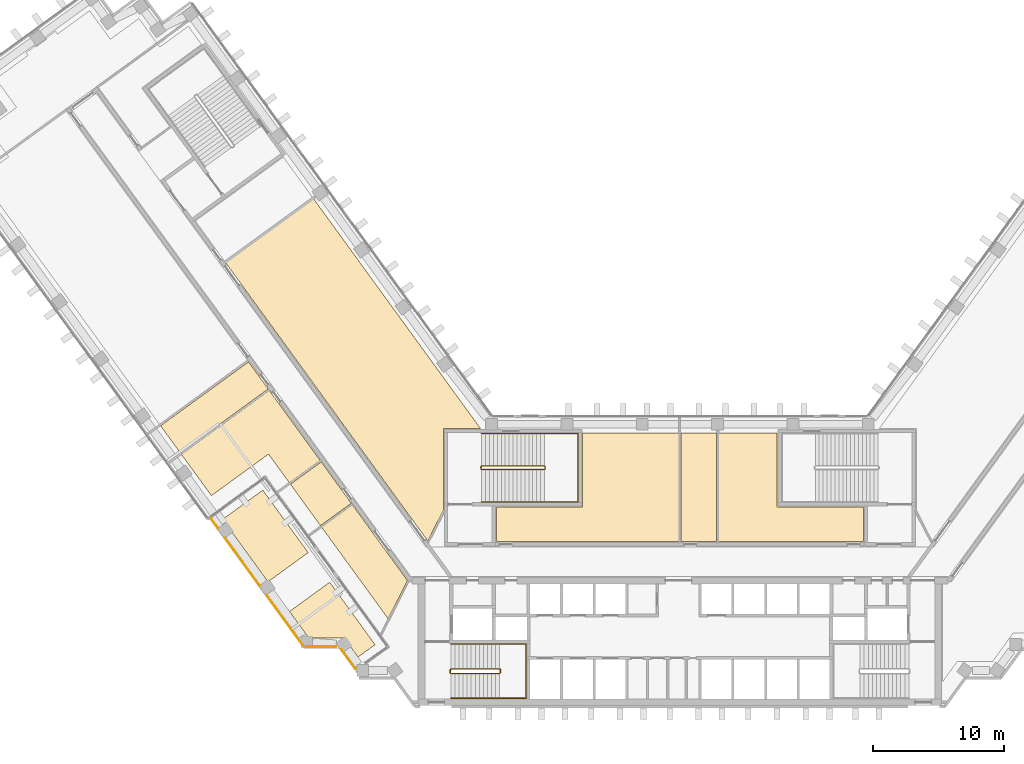
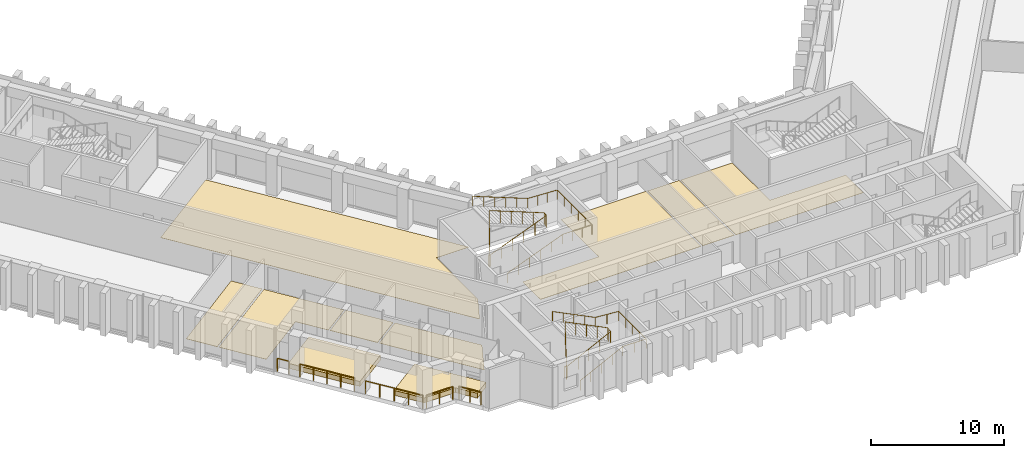
# One storey, part 14 of 16: 10 coverings, 9 railings.
"""IFC4 building model written with IfcOpenShell, lengths in metres."""

import ifcopenshell
import ifcopenshell.guid

model = None  # the IFC model being written
_history = None  # IfcOwnerHistory: only IFC2X3 demands one
_inside = {}  # id of a spatial element -> (the spatial element, [elements in it])
_under = {}  # id of a project, library or spatial element -> (it, [spatial elements below it])
_declared = {}  # id of a project -> (the project, [libraries it declares])
_typed = {}  # id of a type object -> (the type object, [elements of that type])
_made_of = {}  # id of a material, layer set ... -> (it, [elements and type objects made of it])


def new_model(schema):
    """Start an empty IFC model of exactly this schema.

    Asked for "IFC4X3", IfcOpenShell would pick the latest addendum, in which some entities
    have other attributes; the version numbers below select the first issue.
    IFC2X3 requires an IfcOwnerHistory on every rooted entity: one is made here for all.
    """
    global model, _history
    if schema == "IFC4X3":
        model = ifcopenshell.file(schema_version=(4, 3, 0, 0))
    else:
        model = ifcopenshell.file(schema=schema)
    _inside.clear()
    _under.clear()
    _declared.clear()
    _typed.clear()
    _made_of.clear()
    _history = None
    if model.schema == "IFC2X3":
        org = make("IfcOrganization", Name="unknown")
        user = make(
            "IfcPersonAndOrganization",
            ThePerson=make("IfcPerson", FamilyName="unknown"),
            TheOrganization=org,
        )
        app = make(
            "IfcApplication",
            ApplicationDeveloper=org,
            Version="unknown",
            ApplicationFullName="unknown",
            ApplicationIdentifier="unknown",
        )
        _history = make(
            "IfcOwnerHistory",
            OwningUser=user,
            OwningApplication=app,
            ChangeAction="ADDED",
            CreationDate=0,
        )
    return model


def make(cls, **values):
    """One entity of the class cls with the attributes given. An attribute that is None is left unset."""
    return model.create_entity(
        cls, **{name: value for name, value in values.items() if value is not None}
    )


def rooted(cls, **values):
    """An entity with a GlobalId (a new one), such as an element, a storey or a relation."""
    return make(cls, GlobalId=ifcopenshell.guid.new(), OwnerHistory=_history, **values)


def si_unit(unit_type, name, prefix=None):
    """IfcSIUnit, for example si_unit("LENGTHUNIT", "METRE", prefix="MILLI")."""
    return make("IfcSIUnit", UnitType=unit_type, Prefix=prefix, Name=name)


def assignment(units):
    """IfcUnitAssignment: the units of a project."""
    return None if units is None else make("IfcUnitAssignment", Units=units)


def point(xyz):
    """IfcCartesianPoint."""
    return None if xyz is None else make("IfcCartesianPoint", Coordinates=xyz)


def direction(xyz):
    """IfcDirection."""
    return None if xyz is None else make("IfcDirection", DirectionRatios=xyz)


def frame(location, z_axis=None, x_axis=None):
    """IfcAxis2Placement3D, a coordinate frame: its origin and axes. An axis left out is left unset."""
    return make(
        "IfcAxis2Placement3D",
        Location=point(location),
        Axis=direction(z_axis),
        RefDirection=direction(x_axis),
    )


def frame_2d(location, x_axis=None):
    """IfcAxis2Placement2D, a coordinate frame in the plane: its origin and x axis."""
    return make(
        "IfcAxis2Placement2D", Location=point(location), RefDirection=direction(x_axis)
    )


def origin():
    """The frame at (0, 0, 0) with its axes left unset."""
    return frame((0.0, 0.0, 0.0))


def origin_2d():
    """The frame at (0, 0) in the plane with its x axis left unset."""
    return frame_2d((0.0, 0.0))


def place(relative_to, where):
    """IfcLocalPlacement: puts the frame where relative to a parent placement (None: the world)."""
    return make(
        "IfcLocalPlacement", PlacementRelTo=relative_to, RelativePlacement=where
    )


def context(
    kind, dimensions, precision=None, world=None, true_north=None, identifier=None
):
    """IfcGeometricRepresentationContext, for example the 3D "Model" context."""
    return make(
        "IfcGeometricRepresentationContext",
        ContextIdentifier=identifier,
        ContextType=kind,
        CoordinateSpaceDimension=dimensions,
        Precision=precision,
        WorldCoordinateSystem=world,
        TrueNorth=true_north,
    )


def subcontext(parent, identifier, kind, view, scale=None):
    """IfcGeometricRepresentationSubContext, for example "Body" below "Model"."""
    return make(
        "IfcGeometricRepresentationSubContext",
        ContextIdentifier=identifier,
        ContextType=kind,
        ParentContext=parent,
        TargetScale=scale,
        TargetView=view,
    )


def project(units=None, contexts=None):
    """IfcProject with its units and contexts."""
    return rooted(
        "IfcProject",
        Name="project",
        RepresentationContexts=contexts,
        UnitsInContext=assignment(units),
    )


def spatial(cls, under=None, at=None, **own):
    """A site, building, storey or space (cls), placed at a placement, below another one or the project."""
    s = rooted(cls, ObjectPlacement=at, **own)
    if under is not None:
        _under.setdefault(under.id(), (under, []))[1].append(s)
    return s


def polyline(points):
    """IfcPolyline through the points."""
    return make("IfcPolyline", Points=[point(p) for p in points])


def profile(cls, at=None, kind="AREA", **sizes):
    """A parametric profile (cls). Its sizes go by their IFC names, for example OverallWidth=200.0."""
    return make(cls, ProfileType=kind, Position=at, **sizes)


def circle(**sizes):
    """IfcCircleProfileDef."""
    return profile("IfcCircleProfileDef", **sizes)


def outline(outer, holes=None, kind="AREA"):
    """IfcArbitraryClosedProfileDef: a profile drawn as a closed curve; with holes, ...WithVoids."""
    if holes is None:
        return make("IfcArbitraryClosedProfileDef", ProfileType=kind, OuterCurve=outer)
    return make(
        "IfcArbitraryProfileDefWithVoids",
        ProfileType=kind,
        OuterCurve=outer,
        InnerCurves=holes,
    )


def extrude(swept, where, along, depth):
    """IfcExtrudedAreaSolid: the profile swept, set in the frame where, extruded along a direction by depth."""
    return make(
        "IfcExtrudedAreaSolid",
        SweptArea=swept,
        Position=where,
        ExtrudedDirection=direction(along),
        Depth=depth,
    )


def shape(context_of_items, identifier, shape_type, items):
    """IfcShapeRepresentation: the items that make up one representation, for example the "Body"."""
    return make(
        "IfcShapeRepresentation",
        ContextOfItems=context_of_items,
        RepresentationIdentifier=identifier,
        RepresentationType=shape_type,
        Items=items,
    )


def material(Name=None, Category=None):
    """IfcMaterial."""
    return make("IfcMaterial", Name=Name, Category=Category)


def layer(
    of_material, thickness, ventilated=None, Name=None, Category=None, Priority=None
):
    """IfcMaterialLayer: one layer of a wall or slab, of a material (None: an air gap)."""
    return make(
        "IfcMaterialLayer",
        Material=of_material,
        LayerThickness=thickness,
        IsVentilated=ventilated,
        Name=Name,
        Category=Category,
        Priority=Priority,
    )


def layer_set(layers, Name=None):
    """IfcMaterialLayerSet."""
    return make("IfcMaterialLayerSet", MaterialLayers=layers, LayerSetName=Name)


def made_of(thing, what):
    """Note that an element or type object is made of a material, layer set ...; save() writes the relation."""
    if what is not None:
        _made_of.setdefault(what.id(), (what, []))[1].append(thing)
    return thing


def type_object(cls, material=None, **own):
    """A type object (cls), such as IfcWallType, which elements share."""
    return made_of(rooted(cls, **own), material)


def element(
    cls,
    number,
    at=None,
    inside=None,
    cuts=None,
    type_object=None,
    material=None,
    context=None,
    identifier="Body",
    shape_type=None,
    held_by="IfcProductDefinitionShape",
    body=None,
    shapes=None,
    **own,
):
    """One element of the class cls, such as IfcWall. Its Tag is "e" and its number.

    at: its placement. inside: the storey or other place that contains it. cuts: it is an
    opening in that element (IfcRelVoidsElement). A single representation is given by context,
    identifier, shape_type and body (its items); several are given by shapes. held_by: the class
    of the entity that holds the representations. save() writes the other relations.
    """
    e = rooted(cls, Tag="e%d" % number, ObjectPlacement=at, **own)
    if body is not None:
        shapes = [shape(context, identifier, shape_type, body)]
    if shapes is not None:
        e.Representation = make(held_by, Representations=shapes)
    if inside is not None:
        _inside.setdefault(inside.id(), (inside, []))[1].append(e)
    if cuts is not None:
        rooted(
            "IfcRelVoidsElement", RelatingBuildingElement=cuts, RelatedOpeningElement=e
        )
    if type_object is not None:
        _typed.setdefault(type_object.id(), (type_object, []))[1].append(e)
    return made_of(e, material)


def aggregate(whole, parts):
    """IfcRelAggregates: a whole, such as a stair, and the parts it consists of."""
    return rooted("IfcRelAggregates", RelatingObject=whole, RelatedObjects=parts)


def save(model, path):
    """Write the relations noted so far, then the file.

    IfcRelAggregates (storeys below a building ...), IfcRelContainedInSpatialStructure (elements
    in a storey), IfcRelDefinesByType, IfcRelAssociatesMaterial and IfcRelDeclares: one each for
    every whole, place, type object, material and project.
    """
    for whole, parts in _under.values():
        aggregate(whole, parts)
    for where, things in _inside.values():
        rooted(
            "IfcRelContainedInSpatialStructure",
            RelatedElements=things,
            RelatingStructure=where,
        )
    for kind, things in _typed.values():
        rooted("IfcRelDefinesByType", RelatedObjects=things, RelatingType=kind)
    for what, things in _made_of.values():
        rooted("IfcRelAssociatesMaterial", RelatedObjects=things, RelatingMaterial=what)
    for by, libraries in _declared.values():
        rooted("IfcRelDeclares", RelatingContext=by, RelatedDefinitions=libraries)
    model.write(path)


model = new_model("IFC4")

# Units and contexts
model_context = context("Model", 3, precision=1e-05, world=origin(), true_north=direction((0.0, 1.0)))
body_context = subcontext(model_context, "Body", "Model", "MODEL_VIEW")
ifc_project = project(units=[si_unit("LENGTHUNIT", "METRE"), si_unit("AREAUNIT", "SQUARE_METRE"), si_unit("VOLUMEUNIT", "CUBIC_METRE"), si_unit("PLANEANGLEUNIT", "RADIAN"), si_unit("MASSUNIT", "GRAM", prefix="KILO")], contexts=[model_context])

# Site, building, storey
site_placement = place(None, origin())
site = spatial("IfcSite", under=ifc_project, at=site_placement, CompositionType="ELEMENT")
building_placement = place(site_placement, origin())
building = spatial("IfcBuilding", under=site, at=building_placement, Name="Quipu Civic Tower", CompositionType="ELEMENT")
storey_placement = place(building_placement, frame((0.0, 0.0, 63.0)))
storey = spatial("IfcBuildingStorey", under=building, at=storey_placement, Name="L14", CompositionType="ELEMENT", Elevation=63.0)

# Coverings
ifc_material_1 = material(Name="Carpet tile on raised access floor")
ifc_layer_1 = layer(ifc_material_1, 0.02001953125)
ifc_layer_set_1 = layer_set([ifc_layer_1], Name="Carpet tile on raised access floor")
covering_type_1 = type_object("IfcCoveringType", Name="Carpet tile floor finish 20", PredefinedType="FLOORING", material=ifc_layer_set_1)
covering_1_placement = place(storey_placement, origin())
element("IfcCovering", 1, at=covering_1_placement, inside=storey, type_object=covering_type_1, Name="Carpet tile floor finish 20", PredefinedType="FLOORING", context=body_context, shape_type="SweptSolid", body=[
    extrude(outline(polyline([(-34.719970703125, 22.845947265625), (-27.99609375, 27.72998046875), (-15.238037109375, 10.169921875), (-18.070068359375, 10.1689453125), (-18.070068359375, 3.94189453125), (-19.27197265625, 1.583984375), (-34.719970703125, 22.845947265625)])), origin(), (0.0, 0.0, 1.0), 0.02001953125),
])
covering_2_placement = place(storey_placement, origin())
element("IfcCovering", 2, at=covering_2_placement, inside=storey, type_object=covering_type_1, Name="Carpet tile floor finish 20", PredefinedType="FLOORING", context=body_context, shape_type="SweptSolid", body=[
    extrude(outline(polyline([(2.948974609375, 1.52001953125), (2.948974609375, 9.830078125), (7.429931640625, 9.830078125), (7.430908203125, 4.179931640625), (14.030029296875, 4.179931640625), (14.030029296875, 1.52001953125), (2.948974609375, 1.52001953125)])), origin(), (0.0, 0.0, 1.0), 0.02001953125),
])
covering_3_placement = place(storey_placement, origin())
element("IfcCovering", 3, at=covering_3_placement, inside=storey, type_object=covering_type_1, Name="Carpet tile floor finish 20", PredefinedType="FLOORING", context=body_context, shape_type="SweptSolid", body=[
    extrude(outline(polyline([(-38.10693359375, 8.198974609375), (-31.383056640625, 13.08203125), (-27.4990234375, 7.73388671875), (-29.85302734375, 6.02490234375), (-31.444091796875, 8.2119140625), (-35.81201171875, 5.0390625), (-38.10693359375, 8.198974609375)])), origin(), (0.0, 0.0, 1.0), 0.02001953125),
])
covering_4_placement = place(storey_placement, origin())
element("IfcCovering", 4, at=covering_4_placement, inside=storey, type_object=covering_type_1, Name="Carpet tile floor finish 20", PredefinedType="FLOORING", context=body_context, shape_type="SweptSolid", body=[
    extrude(outline(polyline([(-27.389892578125, 2.635009765625), (-25.034912109375, 4.344970703125), (-20.821044921875, -1.4560546875), (-22.303955078125, -4.365966796875), (-27.389892578125, 2.635009765625)])), origin(), (0.0, 0.0, 1.0), 0.02001953125),
])
ifc_material_2 = material(Name="Ceramic floor tile")
ifc_layer_2 = layer(ifc_material_2, 0.030029296875)
ifc_layer_set_2 = layer_set([ifc_layer_2], Name="Ceramic floor tile")
covering_type_2 = type_object("IfcCoveringType", Name="Ceramic tile floor finish 30", PredefinedType="FLOORING", material=ifc_layer_set_2)
covering_5_placement = place(storey_placement, origin())
element("IfcCovering", 5, at=covering_5_placement, inside=storey, type_object=covering_type_2, Name="Ceramic tile floor finish 30", PredefinedType="FLOORING", context=body_context, shape_type="SweptSolid", body=[
    extrude(outline(polyline([(-14.030029296875, 4.179931640625), (-7.430908203125, 4.179931640625), (-7.429931640625, 9.830078125), (-0.070068359375, 9.830078125), (-0.070068359375, 1.52001953125), (-14.030029296875, 1.52001953125), (-14.030029296875, 4.179931640625)])), origin(), (0.0, 0.0, 1.0), 0.030029296875),
])
covering_6_placement = place(storey_placement, origin())
element("IfcCovering", 6, at=covering_6_placement, inside=storey, type_object=covering_type_2, Name="Ceramic tile floor finish 30", PredefinedType="FLOORING", context=body_context, shape_type="SweptSolid", body=[
    extrude(outline(polyline([(0.070068359375, 9.830078125), (2.80908203125, 9.830078125), (2.80908203125, 1.52001953125), (0.070068359375, 1.52001953125), (0.070068359375, 9.830078125)])), origin(), (0.0, 0.0, 1.0), 0.030029296875),
])
covering_7_placement = place(storey_placement, origin())
element("IfcCovering", 7, at=covering_7_placement, inside=storey, type_object=covering_type_2, Name="Ceramic tile floor finish 30", PredefinedType="FLOORING", context=body_context, shape_type="SweptSolid", body=[
    extrude(outline(polyline([(-39.694091796875, 10.383056640625), (-32.969970703125, 15.26708984375), (-31.466064453125, 13.195068359375), (-38.18994140625, 8.31201171875), (-39.694091796875, 10.383056640625)])), origin(), (0.0, 0.0, 1.0), 0.030029296875),
])
covering_8_placement = place(storey_placement, origin())
element("IfcCovering", 8, at=covering_8_placement, inside=storey, type_object=covering_type_2, Name="Ceramic tile floor finish 30", PredefinedType="FLOORING", context=body_context, shape_type="SweptSolid", body=[
    extrude(outline(polyline([(-29.77001953125, 5.912109375), (-27.416015625, 7.62109375), (-25.117919921875, 4.4580078125), (-27.472900390625, 2.748046875), (-29.77001953125, 5.912109375)])), origin(), (0.0, 0.0, 1.0), 0.030029296875),
])
ifc_material_3 = material(Name="Planting soil on drainage board")
ifc_layer_3 = layer(ifc_material_3, 0.449951171875)
ifc_layer_set_3 = layer_set([ifc_layer_3], Name="Planting soil on drainage board")
covering_type_3 = type_object("IfcCoveringType", Name="Planted terrace build-up", PredefinedType="FLOORING", material=ifc_layer_set_3)
covering_9_placement = place(storey_placement, origin())
element("IfcCovering", 9, at=covering_9_placement, inside=storey, type_object=covering_type_3, Name="Planted terrace L14 bed 1", PredefinedType="FLOORING", context=body_context, shape_type="SweptSolid", body=[
    extrude(outline(polyline([(-34.95263671875, 3.227294921875), (-31.87841796875, 5.4609375), (-28.41015625, 0.687255859375), (-31.484375, -1.54638671875), (-34.95263671875, 3.227294921875)])), origin(), (0.0, 0.0, 1.0), 0.449951171875),
])
covering_10_placement = place(storey_placement, origin())
element("IfcCovering", 10, at=covering_10_placement, inside=storey, type_object=covering_type_3, Name="Planted terrace L14 bed 2", PredefinedType="FLOORING", context=body_context, shape_type="SweptSolid", body=[
    extrude(outline(polyline([(-25.671142578125, -5.831298828125), (-28.37109375, -5.831298828125), (-29.838623046875, -3.8115234375), (-26.764404296875, -1.577880859375), (-23.296875, -6.3505859375), (-24.60400390625, -7.30029296875), (-25.671142578125, -5.831298828125)])), origin(), (0.0, 0.0, 1.0), 0.449951171875),
])

# Railings
ifc_material_4 = material(Name="Stainless steel", Category="steel")
railing_type_1 = type_object("IfcRailingType", Name="Stair guard 1100", PredefinedType="GUARDRAIL", material=ifc_material_4)
railing_1_placement = place(storey_placement, frame((-17.5, -8.550048828125, 0.15380859375)))
element("IfcRailing", 11, at=railing_1_placement, inside=storey, type_object=railing_type_1, Name="Stair 1 guard", PredefinedType="GUARDRAIL", context=body_context, shape_type="SweptSolid", body=[
    extrude(circle(Radius=0.02392578125, at=origin_2d()), frame((0.0, 0.0, 1.076171875), z_axis=(0.895751851347, 0.0, 0.444554407028), x_axis=(0.0, 1.0, 0.0)), (0.0, 0.0, 1.0), 4.15283203125),
    extrude(circle(Radius=0.02392578125, at=origin_2d()), frame((3.719970703125, 0.0, 2.92236328125), z_axis=(0.707106781187, 0.707106781187, 0.0), x_axis=(-0.707106781187, 0.707106781187, 0.0)), (0.0, 0.0, 1.0), 0.07080078125),
    extrude(circle(Radius=0.02392578125, at=origin_2d()), frame((3.77001953125, 0.050048828125, 2.92236328125), z_axis=(0.0, 1.0, 0.0), x_axis=(-1.0, 0.0, 0.0)), (0.0, 0.0, 1.0), 0.25),
    extrude(circle(Radius=0.02392578125, at=origin_2d()), frame((3.77001953125, 0.300048828125, 2.92236328125), z_axis=(-0.295599637079, 0.295599637079, 0.908428152975), x_axis=(-0.707106781187, -0.707106781187, 0.0)), (0.0, 0.0, 1.0), 0.16943359375),
    extrude(circle(Radius=0.02392578125, at=origin_2d()), frame((3.719970703125, 0.35009765625, 3.076171875), z_axis=(-0.895751851347, 0.0, 0.444554407028), x_axis=(0.0, -1.0, 0.0)), (0.0, 0.0, 1.0), 4.15283203125),
    extrude(circle(Radius=0.02392578125, at=origin_2d()), frame((0.0, 0.35009765625, 4.92236328125), z_axis=(-0.012476181752, -0.074796231092, -0.997120789425), x_axis=(0.986372223864, -0.164529134168, 0.0)), (0.0, 0.0, 1.0), 4.011474609375),
    extrude(circle(Radius=0.02392578125, at=origin_2d()), frame((-0.050048828125, 0.050048828125, 0.92236328125), z_axis=(0.0, 1.0, 0.0), x_axis=(-1.0, 0.0, 0.0)), (0.0, 0.0, 1.0), 0.25),
    extrude(circle(Radius=0.02099609375, at=origin_2d()), origin(), (0.0, 0.0, 1.0), 1.052001953125),
    extrude(circle(Radius=0.02099609375, at=origin_2d()), frame((0.929931640625, 0.0, 0.46142578125)), (0.0, 0.0, 1.0), 1.052001953125),
    extrude(circle(Radius=0.02099609375, at=origin_2d()), frame((1.85986328125, 0.0, 0.923095703125)), (0.0, 0.0, 1.0), 1.052001953125),
    extrude(circle(Radius=0.02099609375, at=origin_2d()), frame((2.7900390625, 0.0, 1.384765625)), (0.0, 0.0, 1.0), 1.052001953125),
    extrude(circle(Radius=0.02099609375, at=origin_2d()), frame((3.719970703125, 0.0, 1.84619140625)), (0.0, 0.0, 1.0), 1.052001953125),
    extrude(circle(Radius=0.02099609375, at=origin_2d()), frame((3.77001953125, 0.050048828125, 1.84619140625)), (0.0, 0.0, 1.0), 1.052001953125),
    extrude(circle(Radius=0.02099609375, at=origin_2d()), frame((3.77001953125, 0.300048828125, 1.84619140625)), (0.0, 0.0, 1.0), 1.052001953125),
    extrude(circle(Radius=0.02099609375, at=origin_2d()), frame((3.719970703125, 0.35009765625, 2.0)), (0.0, 0.0, 1.0), 1.052001953125),
    extrude(circle(Radius=0.02099609375, at=origin_2d()), frame((2.7900390625, 0.35009765625, 2.46142578125)), (0.0, 0.0, 1.0), 1.052001953125),
    extrude(circle(Radius=0.02099609375, at=origin_2d()), frame((1.85986328125, 0.35009765625, 2.923095703125)), (0.0, 0.0, 1.0), 1.052001953125),
    extrude(circle(Radius=0.02099609375, at=origin_2d()), frame((0.929931640625, 0.35009765625, 3.384765625)), (0.0, 0.0, 1.0), 1.052001953125),
    extrude(circle(Radius=0.02099609375, at=origin_2d()), frame((0.0, 0.35009765625, 3.84619140625)), (0.0, 0.0, 1.0), 1.052001953125),
    extrude(circle(Radius=0.02099609375, at=origin_2d()), frame((-0.012451171875, 0.275146484375, 2.84619140625)), (0.0, 0.0, 1.0), 1.052001953125),
    extrude(circle(Radius=0.02099609375, at=origin_2d()), frame((-0.02490234375, 0.2001953125, 1.84619140625)), (0.0, 0.0, 1.0), 1.052001953125),
    extrude(circle(Radius=0.02099609375, at=origin_2d()), frame((-0.03759765625, 0.125, 0.84619140625)), (0.0, 0.0, 1.0), 1.052001953125),
    extrude(circle(Radius=0.02099609375, at=origin_2d()), frame((-0.050048828125, 0.050048828125, -0.15380859375)), (0.0, 0.0, 1.0), 1.052001953125),
    extrude(circle(Radius=0.02099609375, at=origin_2d()), frame((-0.050048828125, 0.300048828125, -0.15380859375)), (0.0, 0.0, 1.0), 1.052001953125),
])
railing_2_placement = place(storey_placement, frame((-15.14990234375, 7.050048828125, 0.11767578125)))
element("IfcRailing", 12, at=railing_2_placement, inside=storey, type_object=railing_type_1, Name="Stair 3 guard", PredefinedType="GUARDRAIL", context=body_context, shape_type="SweptSolid", body=[
    extrude(circle(Radius=0.02392578125, at=origin_2d()), frame((0.0, 0.0, 1.076171875), z_axis=(0.930970042603, 0.0, 0.365095576219), x_axis=(0.0, 1.0, 0.0)), (0.0, 0.0, 1.0), 5.15576171875),
    extrude(circle(Radius=0.02392578125, at=origin_2d()), frame((4.7998046875, 0.0, 2.95849609375), z_axis=(0.707106781187, 0.707106781187, 0.0), x_axis=(-0.707106781187, 0.707106781187, 0.0)), (0.0, 0.0, 1.0), 0.07080078125),
    extrude(circle(Radius=0.02392578125, at=origin_2d()), frame((4.849853515625, 0.050048828125, 2.95849609375), z_axis=(0.0, 1.0, 0.0), x_axis=(-1.0, 0.0, 0.0)), (0.0, 0.0, 1.0), 0.14990234375),
    extrude(circle(Radius=0.02392578125, at=origin_2d()), frame((4.849853515625, 0.199951171875, 2.95849609375), z_axis=(-0.364463019033, 0.364463019033, 0.856932561824), x_axis=(-0.707106781187, -0.707106781187, 0.0)), (0.0, 0.0, 1.0), 0.13720703125),
    extrude(circle(Radius=0.02392578125, at=origin_2d()), frame((4.7998046875, 0.25, 3.076171875), z_axis=(-0.930970042603, 0.0, 0.365095576219), x_axis=(0.0, -1.0, 0.0)), (0.0, 0.0, 1.0), 5.15576171875),
    extrude(circle(Radius=0.02392578125, at=origin_2d()), frame((0.0, 0.25, 4.95849609375), z_axis=(-0.012495627992, -0.049921557685, -0.998674970829), x_axis=(0.970072785993, -0.242814311512, 0.0)), (0.0, 0.0, 1.0), 4.00537109375),
    extrude(circle(Radius=0.02392578125, at=origin_2d()), frame((-0.050048828125, 0.050048828125, 0.95849609375), z_axis=(0.0, 1.0, 0.0), x_axis=(-1.0, 0.0, 0.0)), (0.0, 0.0, 1.0), 0.14990234375),
    extrude(circle(Radius=0.02099609375, at=origin_2d()), origin(), (0.0, 0.0, 1.0), 1.052001953125),
    extrude(circle(Radius=0.02099609375, at=origin_2d()), frame((0.9599609375, 0.0, 0.37646484375)), (0.0, 0.0, 1.0), 1.052001953125),
    extrude(circle(Radius=0.02099609375, at=origin_2d()), frame((1.919921875, 0.0, 0.7529296875)), (0.0, 0.0, 1.0), 1.052001953125),
    extrude(circle(Radius=0.02099609375, at=origin_2d()), frame((2.8798828125, 0.0, 1.12939453125)), (0.0, 0.0, 1.0), 1.052001953125),
    extrude(circle(Radius=0.02099609375, at=origin_2d()), frame((3.83984375, 0.0, 1.505859375)), (0.0, 0.0, 1.0), 1.052001953125),
    extrude(circle(Radius=0.02099609375, at=origin_2d()), frame((4.7998046875, 0.0, 1.88232421875)), (0.0, 0.0, 1.0), 1.052001953125),
    extrude(circle(Radius=0.02099609375, at=origin_2d()), frame((4.849853515625, 0.050048828125, 1.88232421875)), (0.0, 0.0, 1.0), 1.052001953125),
    extrude(circle(Radius=0.02099609375, at=origin_2d()), frame((4.849853515625, 0.199951171875, 1.88232421875)), (0.0, 0.0, 1.0), 1.052001953125),
    extrude(circle(Radius=0.02099609375, at=origin_2d()), frame((4.7998046875, 0.25, 2.0)), (0.0, 0.0, 1.0), 1.052001953125),
    extrude(circle(Radius=0.02099609375, at=origin_2d()), frame((3.83984375, 0.25, 2.37646484375)), (0.0, 0.0, 1.0), 1.052001953125),
    extrude(circle(Radius=0.02099609375, at=origin_2d()), frame((2.8798828125, 0.25, 2.7529296875)), (0.0, 0.0, 1.0), 1.052001953125),
    extrude(circle(Radius=0.02099609375, at=origin_2d()), frame((1.919921875, 0.25, 3.12939453125)), (0.0, 0.0, 1.0), 1.052001953125),
    extrude(circle(Radius=0.02099609375, at=origin_2d()), frame((0.9599609375, 0.25, 3.505859375)), (0.0, 0.0, 1.0), 1.052001953125),
    extrude(circle(Radius=0.02099609375, at=origin_2d()), frame((0.0, 0.25, 3.88232421875)), (0.0, 0.0, 1.0), 1.052001953125),
    extrude(circle(Radius=0.02099609375, at=origin_2d()), frame((-0.012451171875, 0.199951171875, 2.88232421875)), (0.0, 0.0, 1.0), 1.052001953125),
    extrude(circle(Radius=0.02099609375, at=origin_2d()), frame((-0.02490234375, 0.14990234375, 1.88232421875)), (0.0, 0.0, 1.0), 1.052001953125),
    extrude(circle(Radius=0.02099609375, at=origin_2d()), frame((-0.03759765625, 0.10009765625, 0.88232421875)), (0.0, 0.0, 1.0), 1.052001953125),
    extrude(circle(Radius=0.02099609375, at=origin_2d()), frame((-0.050048828125, 0.050048828125, -0.11767578125)), (0.0, 0.0, 1.0), 1.052001953125),
    extrude(circle(Radius=0.02099609375, at=origin_2d()), frame((-0.050048828125, 0.199951171875, -0.11767578125)), (0.0, 0.0, 1.0), 1.052001953125),
])
ifc_material_5 = material(Name="Stainless steel", Category="steel")
railing_type_2 = type_object("IfcRailingType", Name="Stair handrail", PredefinedType="HANDRAIL", material=ifc_material_5)
railing_3_placement = place(storey_placement, frame((-17.5, -10.449951171875, 0.15380859375)))
element("IfcRailing", 13, at=railing_3_placement, inside=storey, type_object=railing_type_2, Name="Stair 1 handrail", PredefinedType="HANDRAIL", context=body_context, shape_type="SweptSolid", body=[
    extrude(circle(Radius=0.02392578125, at=origin_2d()), frame((0.0, 0.0, 0.8759765625), z_axis=(0.895751851347, 0.0, 0.444554407028), x_axis=(0.0, 1.0, 0.0)), (0.0, 0.0, 1.0), 4.15283203125),
    extrude(circle(Radius=0.02392578125, at=origin_2d()), frame((3.719970703125, 0.0, 2.72216796875), z_axis=(1.0, 0.0, 0.0), x_axis=(0.0, 1.0, 0.0)), (0.0, 0.0, 1.0), 2.030029296875),
    extrude(circle(Radius=0.02392578125, at=origin_2d()), frame((5.75, 0.0, 2.72216796875), z_axis=(0.0, 1.0, 0.0), x_axis=(-1.0, 0.0, 0.0)), (0.0, 0.0, 1.0), 4.14990234375),
    extrude(circle(Radius=0.02392578125, at=origin_2d()), frame((5.75, 4.14990234375, 2.72216796875), z_axis=(-0.997142003663, 0.0, 0.075550145798), x_axis=(0.0, -1.0, 0.0)), (0.0, 0.0, 1.0), 2.035888671875),
    extrude(circle(Radius=0.02392578125, at=origin_2d()), frame((3.719970703125, 4.14990234375, 2.8759765625), z_axis=(-0.895751851347, 0.0, 0.444554407028), x_axis=(0.0, -1.0, 0.0)), (0.0, 0.0, 1.0), 4.15283203125),
    extrude(circle(Radius=0.02099609375, at=origin_2d()), origin(), (0.0, 0.0, 1.0), 0.851806640625),
    extrude(circle(Radius=0.02099609375, at=origin_2d()), frame((0.929931640625, 0.0, 0.46142578125)), (0.0, 0.0, 1.0), 0.851806640625),
    extrude(circle(Radius=0.02099609375, at=origin_2d()), frame((1.85986328125, 0.0, 0.923095703125)), (0.0, 0.0, 1.0), 0.851806640625),
    extrude(circle(Radius=0.02099609375, at=origin_2d()), frame((2.7900390625, 0.0, 1.384765625)), (0.0, 0.0, 1.0), 0.851806640625),
    extrude(circle(Radius=0.02099609375, at=origin_2d()), frame((3.719970703125, 0.0, 1.84619140625)), (0.0, 0.0, 1.0), 0.851806640625),
    extrude(circle(Radius=0.02099609375, at=origin_2d()), frame((4.73486328125, 0.0, 1.84619140625)), (0.0, 0.0, 1.0), 0.851806640625),
    extrude(circle(Radius=0.02099609375, at=origin_2d()), frame((5.75, 0.0, 1.84619140625)), (0.0, 0.0, 1.0), 0.851806640625),
    extrude(circle(Radius=0.02099609375, at=origin_2d()), frame((5.75, 1.03759765625, 1.84619140625)), (0.0, 0.0, 1.0), 0.851806640625),
    extrude(circle(Radius=0.02099609375, at=origin_2d()), frame((5.75, 2.074951171875, 1.84619140625)), (0.0, 0.0, 1.0), 0.851806640625),
    extrude(circle(Radius=0.02099609375, at=origin_2d()), frame((5.75, 3.1123046875, 1.84619140625)), (0.0, 0.0, 1.0), 0.851806640625),
    extrude(circle(Radius=0.02099609375, at=origin_2d()), frame((5.75, 4.14990234375, 1.84619140625)), (0.0, 0.0, 1.0), 0.851806640625),
    extrude(circle(Radius=0.02099609375, at=origin_2d()), frame((4.73486328125, 4.14990234375, 1.923095703125)), (0.0, 0.0, 1.0), 0.851806640625),
    extrude(circle(Radius=0.02099609375, at=origin_2d()), frame((3.719970703125, 4.14990234375, 2.0)), (0.0, 0.0, 1.0), 0.851806640625),
    extrude(circle(Radius=0.02099609375, at=origin_2d()), frame((2.7900390625, 4.14990234375, 2.46142578125)), (0.0, 0.0, 1.0), 0.851806640625),
    extrude(circle(Radius=0.02099609375, at=origin_2d()), frame((1.85986328125, 4.14990234375, 2.923095703125)), (0.0, 0.0, 1.0), 0.851806640625),
    extrude(circle(Radius=0.02099609375, at=origin_2d()), frame((0.929931640625, 4.14990234375, 3.384765625)), (0.0, 0.0, 1.0), 0.851806640625),
    extrude(circle(Radius=0.02099609375, at=origin_2d()), frame((0.0, 4.14990234375, 3.84619140625)), (0.0, 0.0, 1.0), 0.851806640625),
])
railing_4_placement = place(storey_placement, frame((-15.14990234375, 4.550048828125, 0.11767578125)))
element("IfcRailing", 14, at=railing_4_placement, inside=storey, type_object=railing_type_2, Name="Stair 3 handrail", PredefinedType="HANDRAIL", context=body_context, shape_type="SweptSolid", body=[
    extrude(circle(Radius=0.02392578125, at=origin_2d()), frame((0.0, 0.0, 0.8759765625), z_axis=(0.930970042603, 0.0, 0.365095576219), x_axis=(0.0, 1.0, 0.0)), (0.0, 0.0, 1.0), 5.15576171875),
    extrude(circle(Radius=0.02392578125, at=origin_2d()), frame((4.7998046875, 0.0, 2.75830078125), z_axis=(1.0, 0.0, 0.0), x_axis=(0.0, 1.0, 0.0)), (0.0, 0.0, 1.0), 2.550048828125),
    extrude(circle(Radius=0.02392578125, at=origin_2d()), frame((7.349853515625, 0.0, 2.75830078125), z_axis=(0.0, 1.0, 0.0), x_axis=(-1.0, 0.0, 0.0)), (0.0, 0.0, 1.0), 5.25),
    extrude(circle(Radius=0.02392578125, at=origin_2d()), frame((7.349853515625, 5.25, 2.75830078125), z_axis=(-0.998936948642, 0.0, 0.04609742549), x_axis=(0.0, -1.0, 0.0)), (0.0, 0.0, 1.0), 2.552734375),
    extrude(circle(Radius=0.02392578125, at=origin_2d()), frame((4.7998046875, 5.25, 2.8759765625), z_axis=(-0.930970042603, 0.0, 0.365095576219), x_axis=(0.0, -1.0, 0.0)), (0.0, 0.0, 1.0), 5.15576171875),
    extrude(circle(Radius=0.02099609375, at=origin_2d()), origin(), (0.0, 0.0, 1.0), 0.851806640625),
    extrude(circle(Radius=0.02099609375, at=origin_2d()), frame((0.9599609375, 0.0, 0.37646484375)), (0.0, 0.0, 1.0), 0.851806640625),
    extrude(circle(Radius=0.02099609375, at=origin_2d()), frame((1.919921875, 0.0, 0.7529296875)), (0.0, 0.0, 1.0), 0.851806640625),
    extrude(circle(Radius=0.02099609375, at=origin_2d()), frame((2.8798828125, 0.0, 1.12939453125)), (0.0, 0.0, 1.0), 0.851806640625),
    extrude(circle(Radius=0.02099609375, at=origin_2d()), frame((3.83984375, 0.0, 1.505859375)), (0.0, 0.0, 1.0), 0.851806640625),
    extrude(circle(Radius=0.02099609375, at=origin_2d()), frame((4.7998046875, 0.0, 1.88232421875)), (0.0, 0.0, 1.0), 0.851806640625),
    extrude(circle(Radius=0.02099609375, at=origin_2d()), frame((5.64990234375, 0.0, 1.88232421875)), (0.0, 0.0, 1.0), 0.851806640625),
    extrude(circle(Radius=0.02099609375, at=origin_2d()), frame((6.499755859375, 0.0, 1.88232421875)), (0.0, 0.0, 1.0), 0.851806640625),
    extrude(circle(Radius=0.02099609375, at=origin_2d()), frame((7.349853515625, 0.0, 1.88232421875)), (0.0, 0.0, 1.0), 0.851806640625),
    extrude(circle(Radius=0.02099609375, at=origin_2d()), frame((7.349853515625, 1.050048828125, 1.88232421875)), (0.0, 0.0, 1.0), 0.851806640625),
    extrude(circle(Radius=0.02099609375, at=origin_2d()), frame((7.349853515625, 2.10009765625, 1.88232421875)), (0.0, 0.0, 1.0), 0.851806640625),
    extrude(circle(Radius=0.02099609375, at=origin_2d()), frame((7.349853515625, 3.14990234375, 1.88232421875)), (0.0, 0.0, 1.0), 0.851806640625),
    extrude(circle(Radius=0.02099609375, at=origin_2d()), frame((7.349853515625, 4.199951171875, 1.88232421875)), (0.0, 0.0, 1.0), 0.851806640625),
    extrude(circle(Radius=0.02099609375, at=origin_2d()), frame((7.349853515625, 5.25, 1.88232421875)), (0.0, 0.0, 1.0), 0.851806640625),
    extrude(circle(Radius=0.02099609375, at=origin_2d()), frame((6.499755859375, 5.25, 1.921630859375)), (0.0, 0.0, 1.0), 0.851806640625),
    extrude(circle(Radius=0.02099609375, at=origin_2d()), frame((5.64990234375, 5.25, 1.960693359375)), (0.0, 0.0, 1.0), 0.851806640625),
    extrude(circle(Radius=0.02099609375, at=origin_2d()), frame((4.7998046875, 5.25, 2.0)), (0.0, 0.0, 1.0), 0.851806640625),
    extrude(circle(Radius=0.02099609375, at=origin_2d()), frame((3.83984375, 5.25, 2.37646484375)), (0.0, 0.0, 1.0), 0.851806640625),
    extrude(circle(Radius=0.02099609375, at=origin_2d()), frame((2.8798828125, 5.25, 2.7529296875)), (0.0, 0.0, 1.0), 0.851806640625),
    extrude(circle(Radius=0.02099609375, at=origin_2d()), frame((1.919921875, 5.25, 3.12939453125)), (0.0, 0.0, 1.0), 0.851806640625),
    extrude(circle(Radius=0.02099609375, at=origin_2d()), frame((0.9599609375, 5.25, 3.505859375)), (0.0, 0.0, 1.0), 0.851806640625),
    extrude(circle(Radius=0.02099609375, at=origin_2d()), frame((0.0, 5.25, 3.88232421875)), (0.0, 0.0, 1.0), 0.851806640625),
])
ifc_material_6 = material(Name="Steel S275", Category="steel")
railing_type_3 = type_object("IfcRailingType", Name="Terrace guard G1", PredefinedType="GUARDRAIL", material=ifc_material_6)
railing_5_placement = place(storey_placement, frame((-35.85546875, 3.313232421875, 0.0)))
element("IfcRailing", 15, at=railing_5_placement, inside=storey, type_object=railing_type_3, Name="Terrace guard L14.1", PredefinedType="GUARDRAIL", context=body_context, shape_type="SweptSolid", body=[
    extrude(circle(Radius=0.02490234375, at=origin_2d()), frame((0.0, 0.0, 1.1748046875), z_axis=(0.587654599589, -0.809111903003, 0.0), x_axis=(0.809111903003, 0.587654599589, 0.0)), (0.0, 0.0, 1.0), 0.95458984375),
    extrude(circle(Radius=0.02490234375, at=origin_2d()), origin(), (0.0, 0.0, 1.0), 1.14990234375),
    extrude(circle(Radius=0.02490234375, at=origin_2d()), frame((0.56103515625, -0.7724609375, 0.0)), (0.0, 0.0, 1.0), 1.14990234375),
])
railing_6_placement = place(storey_placement, frame((-34.765380859375, 1.8125, 0.0)))
element("IfcRailing", 16, at=railing_6_placement, inside=storey, type_object=railing_type_3, Name="Terrace guard L14.2", PredefinedType="GUARDRAIL", context=body_context, shape_type="SweptSolid", body=[
    extrude(circle(Radius=0.02490234375, at=origin_2d()), frame((0.0, 0.0, 1.1748046875), z_axis=(0.587803872688, -0.809003465539, 0.0), x_axis=(0.809003465539, 0.587803872688, 0.0)), (0.0, 0.0, 1.0), 4.499755859375),
    extrude(circle(Radius=0.02490234375, at=origin_2d()), origin(), (0.0, 0.0, 1.0), 1.14990234375),
    extrude(circle(Radius=0.02490234375, at=origin_2d()), frame((0.6611328125, -0.91015625, 0.0)), (0.0, 0.0, 1.0), 1.14990234375),
    extrude(circle(Radius=0.02490234375, at=origin_2d()), frame((1.322509765625, -1.8203125, 0.0)), (0.0, 0.0, 1.0), 1.14990234375),
    extrude(circle(Radius=0.02490234375, at=origin_2d()), frame((1.98388671875, -2.730224609375, 0.0)), (0.0, 0.0, 1.0), 1.14990234375),
    extrude(circle(Radius=0.02490234375, at=origin_2d()), frame((2.64501953125, -3.640380859375, 0.0)), (0.0, 0.0, 1.0), 1.14990234375),
])
railing_7_placement = place(storey_placement, frame((-31.59130859375, -2.55615234375, 0.0)))
element("IfcRailing", 17, at=railing_7_placement, inside=storey, type_object=railing_type_3, Name="Terrace guard L14.3", PredefinedType="GUARDRAIL", context=body_context, shape_type="SweptSolid", body=[
    extrude(circle(Radius=0.02490234375, at=origin_2d()), frame((0.0, 0.0, 1.1748046875), z_axis=(0.58779267372, -0.80901160234, 0.0), x_axis=(0.80901160234, 0.58779267372, 0.0)), (0.0, 0.0, 1.0), 4.75),
    extrude(circle(Radius=0.02490234375, at=origin_2d()), origin(), (0.0, 0.0, 1.0), 1.14990234375),
    extrude(circle(Radius=0.02490234375, at=origin_2d()), frame((0.697998046875, -0.960693359375, 0.0)), (0.0, 0.0, 1.0), 1.14990234375),
    extrude(circle(Radius=0.02490234375, at=origin_2d()), frame((1.39599609375, -1.92138671875, 0.0)), (0.0, 0.0, 1.0), 1.14990234375),
    extrude(circle(Radius=0.02490234375, at=origin_2d()), frame((2.093994140625, -2.882080078125, 0.0)), (0.0, 0.0, 1.0), 1.14990234375),
    extrude(circle(Radius=0.02490234375, at=origin_2d()), frame((2.7919921875, -3.8427734375, 0.0)), (0.0, 0.0, 1.0), 1.14990234375),
])
railing_8_placement = place(storey_placement, frame((-28.578857421875, -6.51123046875, 0.0)))
element("IfcRailing", 18, at=railing_8_placement, inside=storey, type_object=railing_type_3, Name="Terrace guard L14.4", PredefinedType="GUARDRAIL", context=body_context, shape_type="SweptSolid", body=[
    extrude(circle(Radius=0.02490234375, at=origin_2d()), frame((0.0, 0.0, 1.1748046875), z_axis=(1.0, 0.0, 0.0), x_axis=(0.0, 1.0, 0.0)), (0.0, 0.0, 1.0), 2.300048828125),
    extrude(circle(Radius=0.02490234375, at=origin_2d()), origin(), (0.0, 0.0, 1.0), 1.14990234375),
    extrude(circle(Radius=0.02490234375, at=origin_2d()), frame((1.14990234375, 0.0, 0.0)), (0.0, 0.0, 1.0), 1.14990234375),
    extrude(circle(Radius=0.02490234375, at=origin_2d()), frame((2.300048828125, 0.0, 0.0)), (0.0, 0.0, 1.0), 1.14990234375),
])
railing_9_placement = place(storey_placement, frame((-25.8642578125, -6.72265625, 0.0)))
element("IfcRailing", 19, at=railing_9_placement, inside=storey, type_object=railing_type_3, Name="Terrace guard L14.5", PredefinedType="GUARDRAIL", context=body_context, shape_type="SweptSolid", body=[
    extrude(circle(Radius=0.02490234375, at=origin_2d()), frame((0.0, 0.0, 1.1748046875), z_axis=(0.587834485911, -0.808981221768, 0.0), x_axis=(0.808981221768, 0.587834485911, 0.0)), (0.0, 0.0, 1.0), 1.808349609375),
    extrude(circle(Radius=0.02490234375, at=origin_2d()), origin(), (0.0, 0.0, 1.0), 1.14990234375),
    extrude(circle(Radius=0.02490234375, at=origin_2d()), frame((0.531494140625, -0.7314453125, 0.0)), (0.0, 0.0, 1.0), 1.14990234375),
    extrude(circle(Radius=0.02490234375, at=origin_2d()), frame((1.06298828125, -1.462890625, 0.0)), (0.0, 0.0, 1.0), 1.14990234375),
])

save(model, "model.ifc")
